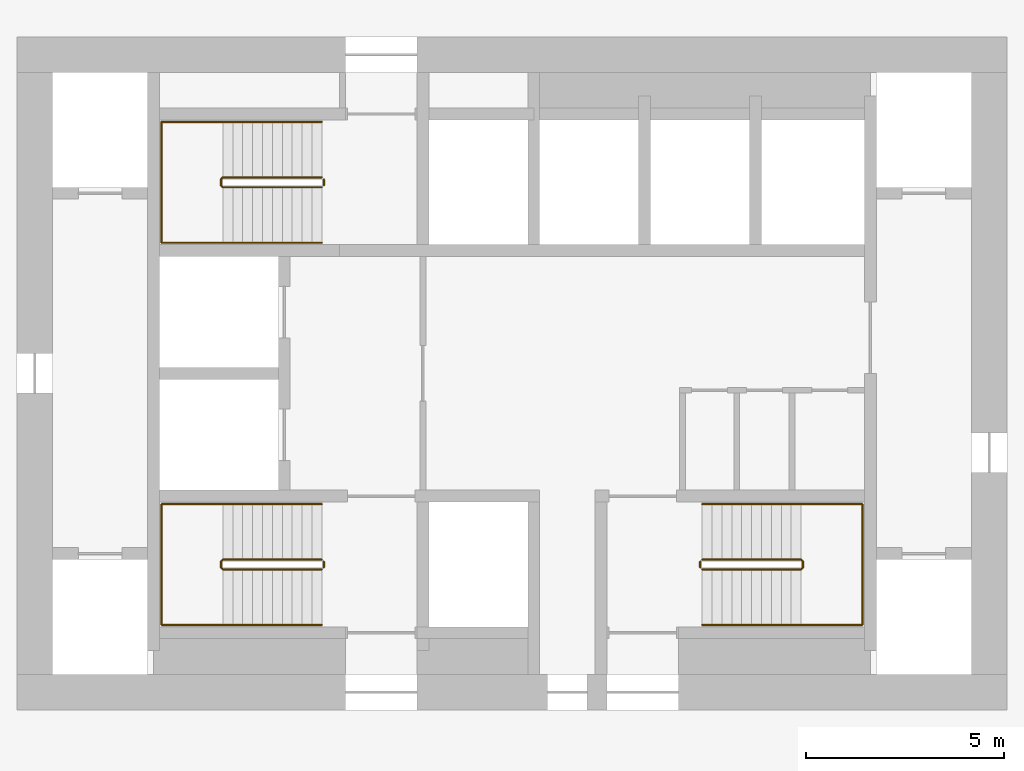
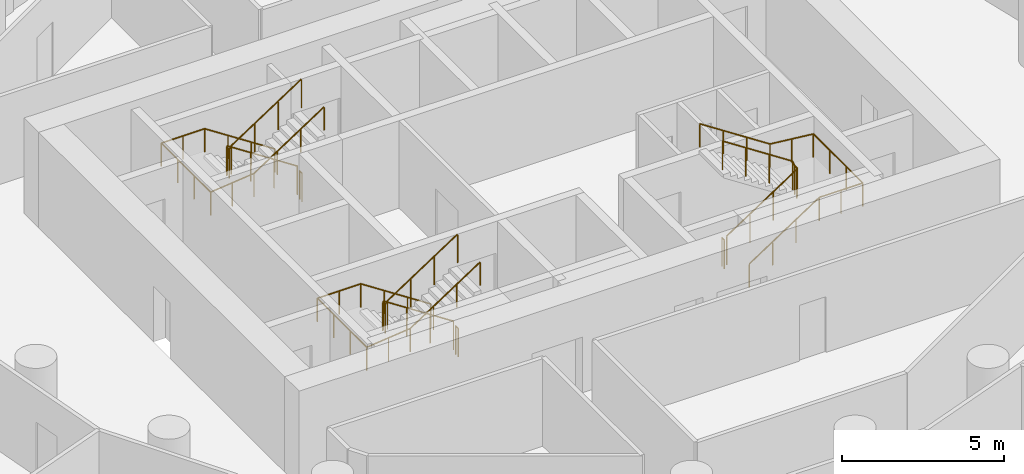
# One storey, part 9 of 9: 9 railings.
"""IFC4 building model written with IfcOpenShell, lengths in metres."""

from ifc_helpers import new_model, si_unit, direction, frame, origin, origin_2d, place, context, subcontext, project, spatial, circle, extrude, material, type_object, element, save


model = new_model("IFC4")

# Units and contexts
model_context = context("Model", 3, precision=1e-05, world=origin(), true_north=direction((0.0, 1.0)))
body_context = subcontext(model_context, "Body", "Model", "MODEL_VIEW")
ifc_project = project(units=[si_unit("LENGTHUNIT", "METRE"), si_unit("AREAUNIT", "SQUARE_METRE"), si_unit("VOLUMEUNIT", "CUBIC_METRE"), si_unit("PLANEANGLEUNIT", "RADIAN"), si_unit("MASSUNIT", "GRAM", prefix="KILO")], contexts=[model_context])

# Site, building, storey
site_placement = place(None, origin())
site = spatial("IfcSite", under=ifc_project, at=site_placement, CompositionType="ELEMENT")
building_placement = place(site_placement, origin())
building = spatial("IfcBuilding", under=site, at=building_placement, Name="Tracery Tower", CompositionType="ELEMENT")
storey_placement = place(building_placement, frame((0.0, 0.0, 172.800048828125)))
storey = spatial("IfcBuildingStorey", under=building, at=storey_placement, Name="L44", CompositionType="ELEMENT", Elevation=172.800048828125)

# Railings
ifc_material_1 = material(Name="Stainless steel and laminated glass", Category="steel")
railing_type_1 = type_object("IfcRailingType", Name="Stair guard 1100", PredefinedType="GUARDRAIL", material=ifc_material_1)
railing_1_placement = place(storey_placement, frame((-4.800048828125, -4.699951171875, 0.16357421875)))
element("IfcRailing", 1, at=railing_1_placement, inside=storey, type_object=railing_type_1, Name="L44 stair ST1 guard 1", PredefinedType="GUARDRAIL", context=body_context, shape_type="SweptSolid", body=[
    extrude(circle(Radius=0.02392578125, at=origin_2d()), frame((0.0, 0.0, 1.076171875), z_axis=(-0.83668449804, 0.0, 0.54768517484), x_axis=(0.0, -1.0, 0.0)), (0.0, 0.0, 1.0), 2.988037109375),
    extrude(circle(Radius=0.02392578125, at=origin_2d()), frame((-2.5, 0.0, 2.71240234375), z_axis=(-0.707106781187, -0.707106781187, 0.0), x_axis=(0.707106781187, -0.707106781187, 0.0)), (0.0, 0.0, 1.0), 0.07080078125),
    extrude(circle(Radius=0.02392578125, at=origin_2d()), frame((-2.550048828125, -0.050048828125, 2.71240234375), z_axis=(0.0, -1.0, 0.0), x_axis=(1.0, 0.0, 0.0)), (0.0, 0.0, 1.0), 0.14990234375),
    extrude(circle(Radius=0.02392578125, at=origin_2d()), frame((-2.550048828125, -0.199951171875, 2.71240234375), z_axis=(0.280808744504, -0.280808744504, 0.917765164963), x_axis=(0.707106781187, 0.707106781187, 0.0)), (0.0, 0.0, 1.0), 0.17822265625),
    extrude(circle(Radius=0.02392578125, at=origin_2d()), frame((-2.5, -0.25, 2.8759765625), z_axis=(0.836721939367, 0.0, 0.547627972425), x_axis=(0.0, 1.0, 0.0)), (0.0, 0.0, 1.0), 2.98779296875),
    extrude(circle(Radius=0.02099609375, at=origin_2d()), origin(), (0.0, 0.0, 1.0), 1.052001953125),
    extrude(circle(Radius=0.02099609375, at=origin_2d()), frame((-0.833251953125, 0.0, 0.54541015625)), (0.0, 0.0, 1.0), 1.052001953125),
    extrude(circle(Radius=0.02099609375, at=origin_2d()), frame((-1.666748046875, 0.0, 1.091064453125)), (0.0, 0.0, 1.0), 1.052001953125),
    extrude(circle(Radius=0.02099609375, at=origin_2d()), frame((-2.5, 0.0, 1.636474609375)), (0.0, 0.0, 1.0), 1.052001953125),
    extrude(circle(Radius=0.02099609375, at=origin_2d()), frame((-2.550048828125, -0.050048828125, 1.636474609375)), (0.0, 0.0, 1.0), 1.052001953125),
    extrude(circle(Radius=0.02099609375, at=origin_2d()), frame((-2.550048828125, -0.199951171875, 1.636474609375)), (0.0, 0.0, 1.0), 1.052001953125),
    extrude(circle(Radius=0.02099609375, at=origin_2d()), frame((-2.5, -0.25, 1.800048828125)), (0.0, 0.0, 1.0), 1.052001953125),
    extrude(circle(Radius=0.02099609375, at=origin_2d()), frame((-1.666748046875, -0.25, 2.345458984375)), (0.0, 0.0, 1.0), 1.052001953125),
    extrude(circle(Radius=0.02099609375, at=origin_2d()), frame((-0.833251953125, -0.25, 2.890869140625)), (0.0, 0.0, 1.0), 1.052001953125),
    extrude(circle(Radius=0.02099609375, at=origin_2d()), frame((0.0, -0.25, 3.436279296875)), (0.0, 0.0, 1.0), 1.052001953125),
])
railing_2_placement = place(storey_placement, frame((-4.75, -4.75, 0.0)))
element("IfcRailing", 2, at=railing_2_placement, inside=storey, type_object=railing_type_1, Name="L44 stair ST1 guard 2", PredefinedType="GUARDRAIL", context=body_context, shape_type="SweptSolid", body=[
    extrude(circle(Radius=0.02392578125, at=origin_2d()), frame((0.0, 0.0, 1.076171875), z_axis=(0.0, -1.0, 0.0), x_axis=(1.0, 0.0, 0.0)), (0.0, 0.0, 1.0), 0.14990234375),
    extrude(circle(Radius=0.02099609375, at=origin_2d()), origin(), (0.0, 0.0, 1.0), 1.052001953125),
    extrude(circle(Radius=0.02099609375, at=origin_2d()), frame((0.0, -0.14990234375, 0.0)), (0.0, 0.0, 1.0), 1.052001953125),
])
railing_3_placement = place(storey_placement, frame((-4.800048828125, 4.949951171875, 0.16357421875)))
element("IfcRailing", 3, at=railing_3_placement, inside=storey, type_object=railing_type_1, Name="L44 stair ST3 guard 1", PredefinedType="GUARDRAIL", context=body_context, shape_type="SweptSolid", body=[
    extrude(circle(Radius=0.02392578125, at=origin_2d()), frame((0.0, 0.0, 1.076171875), z_axis=(-0.83668449804, 0.0, 0.54768517484), x_axis=(0.0, -1.0, 0.0)), (0.0, 0.0, 1.0), 2.988037109375),
    extrude(circle(Radius=0.02392578125, at=origin_2d()), frame((-2.5, 0.0, 2.71240234375), z_axis=(-0.707106781187, -0.707106781187, 0.0), x_axis=(0.707106781187, -0.707106781187, 0.0)), (0.0, 0.0, 1.0), 0.07080078125),
    extrude(circle(Radius=0.02392578125, at=origin_2d()), frame((-2.550048828125, -0.050048828125, 2.71240234375), z_axis=(0.0, -1.0, 0.0), x_axis=(1.0, 0.0, 0.0)), (0.0, 0.0, 1.0), 0.14990234375),
    extrude(circle(Radius=0.02392578125, at=origin_2d()), frame((-2.550048828125, -0.199951171875, 2.71240234375), z_axis=(0.280808744504, -0.280808744504, 0.917765164963), x_axis=(0.707106781187, 0.707106781187, 0.0)), (0.0, 0.0, 1.0), 0.17822265625),
    extrude(circle(Radius=0.02392578125, at=origin_2d()), frame((-2.5, -0.25, 2.8759765625), z_axis=(0.836721939367, 0.0, 0.547627972425), x_axis=(0.0, 1.0, 0.0)), (0.0, 0.0, 1.0), 2.98779296875),
    extrude(circle(Radius=0.02099609375, at=origin_2d()), origin(), (0.0, 0.0, 1.0), 1.052001953125),
    extrude(circle(Radius=0.02099609375, at=origin_2d()), frame((-0.833251953125, 0.0, 0.54541015625)), (0.0, 0.0, 1.0), 1.052001953125),
    extrude(circle(Radius=0.02099609375, at=origin_2d()), frame((-1.666748046875, 0.0, 1.091064453125)), (0.0, 0.0, 1.0), 1.052001953125),
    extrude(circle(Radius=0.02099609375, at=origin_2d()), frame((-2.5, 0.0, 1.636474609375)), (0.0, 0.0, 1.0), 1.052001953125),
    extrude(circle(Radius=0.02099609375, at=origin_2d()), frame((-2.550048828125, -0.050048828125, 1.636474609375)), (0.0, 0.0, 1.0), 1.052001953125),
    extrude(circle(Radius=0.02099609375, at=origin_2d()), frame((-2.550048828125, -0.199951171875, 1.636474609375)), (0.0, 0.0, 1.0), 1.052001953125),
    extrude(circle(Radius=0.02099609375, at=origin_2d()), frame((-2.5, -0.25, 1.800048828125)), (0.0, 0.0, 1.0), 1.052001953125),
    extrude(circle(Radius=0.02099609375, at=origin_2d()), frame((-1.666748046875, -0.25, 2.345458984375)), (0.0, 0.0, 1.0), 1.052001953125),
    extrude(circle(Radius=0.02099609375, at=origin_2d()), frame((-0.833251953125, -0.25, 2.890869140625)), (0.0, 0.0, 1.0), 1.052001953125),
    extrude(circle(Radius=0.02099609375, at=origin_2d()), frame((0.0, -0.25, 3.436279296875)), (0.0, 0.0, 1.0), 1.052001953125),
])
railing_4_placement = place(storey_placement, frame((-4.75, 4.89990234375, 0.0)))
element("IfcRailing", 4, at=railing_4_placement, inside=storey, type_object=railing_type_1, Name="L44 stair ST3 guard 2", PredefinedType="GUARDRAIL", context=body_context, shape_type="SweptSolid", body=[
    extrude(circle(Radius=0.02392578125, at=origin_2d()), frame((0.0, 0.0, 1.076171875), z_axis=(0.0, -1.0, 0.0), x_axis=(1.0, 0.0, 0.0)), (0.0, 0.0, 1.0), 0.14990234375),
    extrude(circle(Radius=0.02099609375, at=origin_2d()), origin(), (0.0, 0.0, 1.0), 1.052001953125),
    extrude(circle(Radius=0.02099609375, at=origin_2d()), frame((0.0, -0.14990234375, 0.0)), (0.0, 0.0, 1.0), 1.052001953125),
])
railing_5_placement = place(storey_placement, frame((4.800048828125, -4.949951171875, 0.16357421875)))
element("IfcRailing", 5, at=railing_5_placement, inside=storey, type_object=railing_type_1, Name="L44 stair ST2 guard 1", PredefinedType="GUARDRAIL", context=body_context, shape_type="SweptSolid", body=[
    extrude(circle(Radius=0.02392578125, at=origin_2d()), frame((0.0, 0.0, 1.076171875), z_axis=(0.83668449804, 0.0, 0.54768517484), x_axis=(0.0, 1.0, 0.0)), (0.0, 0.0, 1.0), 2.988037109375),
    extrude(circle(Radius=0.02392578125, at=origin_2d()), frame((2.5, 0.0, 2.71240234375), z_axis=(0.707106781187, 0.707106781187, 0.0), x_axis=(-0.707106781187, 0.707106781187, 0.0)), (0.0, 0.0, 1.0), 0.07080078125),
    extrude(circle(Radius=0.02392578125, at=origin_2d()), frame((2.550048828125, 0.050048828125, 2.71240234375), z_axis=(0.0, 1.0, 0.0), x_axis=(-1.0, 0.0, 0.0)), (0.0, 0.0, 1.0), 0.14990234375),
    extrude(circle(Radius=0.02392578125, at=origin_2d()), frame((2.550048828125, 0.199951171875, 2.71240234375), z_axis=(-0.280808744504, 0.280808744504, 0.917765164963), x_axis=(-0.707106781187, -0.707106781187, 0.0)), (0.0, 0.0, 1.0), 0.17822265625),
    extrude(circle(Radius=0.02392578125, at=origin_2d()), frame((2.5, 0.25, 2.8759765625), z_axis=(-0.836721939367, 0.0, 0.547627972425), x_axis=(0.0, -1.0, 0.0)), (0.0, 0.0, 1.0), 2.98779296875),
    extrude(circle(Radius=0.02099609375, at=origin_2d()), origin(), (0.0, 0.0, 1.0), 1.052001953125),
    extrude(circle(Radius=0.02099609375, at=origin_2d()), frame((0.833251953125, 0.0, 0.54541015625)), (0.0, 0.0, 1.0), 1.052001953125),
    extrude(circle(Radius=0.02099609375, at=origin_2d()), frame((1.666748046875, 0.0, 1.091064453125)), (0.0, 0.0, 1.0), 1.052001953125),
    extrude(circle(Radius=0.02099609375, at=origin_2d()), frame((2.5, 0.0, 1.636474609375)), (0.0, 0.0, 1.0), 1.052001953125),
    extrude(circle(Radius=0.02099609375, at=origin_2d()), frame((2.550048828125, 0.050048828125, 1.636474609375)), (0.0, 0.0, 1.0), 1.052001953125),
    extrude(circle(Radius=0.02099609375, at=origin_2d()), frame((2.550048828125, 0.199951171875, 1.636474609375)), (0.0, 0.0, 1.0), 1.052001953125),
    extrude(circle(Radius=0.02099609375, at=origin_2d()), frame((2.5, 0.25, 1.800048828125)), (0.0, 0.0, 1.0), 1.052001953125),
    extrude(circle(Radius=0.02099609375, at=origin_2d()), frame((1.666748046875, 0.25, 2.345458984375)), (0.0, 0.0, 1.0), 1.052001953125),
    extrude(circle(Radius=0.02099609375, at=origin_2d()), frame((0.833251953125, 0.25, 2.890869140625)), (0.0, 0.0, 1.0), 1.052001953125),
    extrude(circle(Radius=0.02099609375, at=origin_2d()), frame((0.0, 0.25, 3.436279296875)), (0.0, 0.0, 1.0), 1.052001953125),
])
railing_6_placement = place(storey_placement, frame((4.75, -4.89990234375, 0.0)))
element("IfcRailing", 6, at=railing_6_placement, inside=storey, type_object=railing_type_1, Name="L44 stair ST2 guard 2", PredefinedType="GUARDRAIL", context=body_context, shape_type="SweptSolid", body=[
    extrude(circle(Radius=0.02392578125, at=origin_2d()), frame((0.0, 0.0, 1.076171875), z_axis=(0.0, 1.0, 0.0), x_axis=(-1.0, 0.0, 0.0)), (0.0, 0.0, 1.0), 0.14990234375),
    extrude(circle(Radius=0.02099609375, at=origin_2d()), origin(), (0.0, 0.0, 1.0), 1.052001953125),
    extrude(circle(Radius=0.02099609375, at=origin_2d()), frame((0.0, 0.14990234375, 0.0)), (0.0, 0.0, 1.0), 1.052001953125),
])
ifc_material_2 = material(Name="Stainless steel and laminated glass", Category="steel")
railing_type_2 = type_object("IfcRailingType", Name="Stair handrail 900", PredefinedType="HANDRAIL", material=ifc_material_2)
railing_7_placement = place(storey_placement, frame((-4.800048828125, -3.300048828125, 0.16357421875)))
element("IfcRailing", 7, at=railing_7_placement, inside=storey, type_object=railing_type_2, Name="L44 stair ST1 handrail 1", PredefinedType="HANDRAIL", context=body_context, shape_type="SweptSolid", body=[
    extrude(circle(Radius=0.02392578125, at=origin_2d()), frame((0.0, 0.0, 0.8759765625), z_axis=(-0.83668449804, 0.0, 0.54768517484), x_axis=(0.0, -1.0, 0.0)), (0.0, 0.0, 1.0), 2.988037109375),
    extrude(circle(Radius=0.02392578125, at=origin_2d()), frame((-2.5, 0.0, 2.51220703125), z_axis=(-1.0, 0.0, 0.0), x_axis=(0.0, -1.0, 0.0)), (0.0, 0.0, 1.0), 1.550048828125),
    extrude(circle(Radius=0.02392578125, at=origin_2d()), frame((-4.050048828125, 0.0, 2.51220703125), z_axis=(0.0, -1.0, 0.0), x_axis=(1.0, 0.0, 0.0)), (0.0, 0.0, 1.0), 3.050048828125),
    extrude(circle(Radius=0.02392578125, at=origin_2d()), frame((-4.050048828125, -3.050048828125, 2.51220703125), z_axis=(0.994477953863, 0.0, 0.104945696817), x_axis=(0.0, 1.0, 0.0)), (0.0, 0.0, 1.0), 1.55859375),
    extrude(circle(Radius=0.02392578125, at=origin_2d()), frame((-2.5, -3.050048828125, 2.67578125), z_axis=(0.836721939367, 0.0, 0.547627972425), x_axis=(0.0, 1.0, 0.0)), (0.0, 0.0, 1.0), 2.98779296875),
    extrude(circle(Radius=0.02099609375, at=origin_2d()), origin(), (0.0, 0.0, 1.0), 0.851806640625),
    extrude(circle(Radius=0.02099609375, at=origin_2d()), frame((-0.833251953125, 0.0, 0.54541015625)), (0.0, 0.0, 1.0), 0.851806640625),
    extrude(circle(Radius=0.02099609375, at=origin_2d()), frame((-1.666748046875, 0.0, 1.091064453125)), (0.0, 0.0, 1.0), 0.851806640625),
    extrude(circle(Radius=0.02099609375, at=origin_2d()), frame((-2.5, 0.0, 1.636474609375)), (0.0, 0.0, 1.0), 0.851806640625),
    extrude(circle(Radius=0.02099609375, at=origin_2d()), frame((-3.27490234375, 0.0, 1.636474609375)), (0.0, 0.0, 1.0), 0.851806640625),
    extrude(circle(Radius=0.02099609375, at=origin_2d()), frame((-4.050048828125, 0.0, 1.636474609375)), (0.0, 0.0, 1.0), 0.851806640625),
    extrude(circle(Radius=0.02099609375, at=origin_2d()), frame((-4.050048828125, -1.0166015625, 1.636474609375)), (0.0, 0.0, 1.0), 0.851806640625),
    extrude(circle(Radius=0.02099609375, at=origin_2d()), frame((-4.050048828125, -2.033447265625, 1.636474609375)), (0.0, 0.0, 1.0), 0.851806640625),
    extrude(circle(Radius=0.02099609375, at=origin_2d()), frame((-4.050048828125, -3.050048828125, 1.636474609375)), (0.0, 0.0, 1.0), 0.851806640625),
    extrude(circle(Radius=0.02099609375, at=origin_2d()), frame((-3.27490234375, -3.050048828125, 1.71826171875)), (0.0, 0.0, 1.0), 0.851806640625),
    extrude(circle(Radius=0.02099609375, at=origin_2d()), frame((-2.5, -3.050048828125, 1.800048828125)), (0.0, 0.0, 1.0), 0.851806640625),
    extrude(circle(Radius=0.02099609375, at=origin_2d()), frame((-1.666748046875, -3.050048828125, 2.345458984375)), (0.0, 0.0, 1.0), 0.851806640625),
    extrude(circle(Radius=0.02099609375, at=origin_2d()), frame((-0.833251953125, -3.050048828125, 2.890869140625)), (0.0, 0.0, 1.0), 0.851806640625),
    extrude(circle(Radius=0.02099609375, at=origin_2d()), frame((0.0, -3.050048828125, 3.436279296875)), (0.0, 0.0, 1.0), 0.851806640625),
])
railing_8_placement = place(storey_placement, frame((-4.800048828125, 6.35009765625, 0.16357421875)))
element("IfcRailing", 8, at=railing_8_placement, inside=storey, type_object=railing_type_2, Name="L44 stair ST3 handrail 1", PredefinedType="HANDRAIL", context=body_context, shape_type="SweptSolid", body=[
    extrude(circle(Radius=0.02392578125, at=origin_2d()), frame((0.0, 0.0, 0.8759765625), z_axis=(-0.83668449804, 0.0, 0.54768517484), x_axis=(0.0, -1.0, 0.0)), (0.0, 0.0, 1.0), 2.988037109375),
    extrude(circle(Radius=0.02392578125, at=origin_2d()), frame((-2.5, 0.0, 2.51220703125), z_axis=(-1.0, 0.0, 0.0), x_axis=(0.0, -1.0, 0.0)), (0.0, 0.0, 1.0), 1.550048828125),
    extrude(circle(Radius=0.02392578125, at=origin_2d()), frame((-4.050048828125, 0.0, 2.51220703125), z_axis=(0.0, -1.0, 0.0), x_axis=(1.0, 0.0, 0.0)), (0.0, 0.0, 1.0), 3.050048828125),
    extrude(circle(Radius=0.02392578125, at=origin_2d()), frame((-4.050048828125, -3.050048828125, 2.51220703125), z_axis=(0.994477953863, 0.0, 0.104945696817), x_axis=(0.0, 1.0, 0.0)), (0.0, 0.0, 1.0), 1.55859375),
    extrude(circle(Radius=0.02392578125, at=origin_2d()), frame((-2.5, -3.050048828125, 2.67578125), z_axis=(0.836721939367, 0.0, 0.547627972425), x_axis=(0.0, 1.0, 0.0)), (0.0, 0.0, 1.0), 2.98779296875),
    extrude(circle(Radius=0.02099609375, at=origin_2d()), origin(), (0.0, 0.0, 1.0), 0.851806640625),
    extrude(circle(Radius=0.02099609375, at=origin_2d()), frame((-0.833251953125, 0.0, 0.54541015625)), (0.0, 0.0, 1.0), 0.851806640625),
    extrude(circle(Radius=0.02099609375, at=origin_2d()), frame((-1.666748046875, 0.0, 1.091064453125)), (0.0, 0.0, 1.0), 0.851806640625),
    extrude(circle(Radius=0.02099609375, at=origin_2d()), frame((-2.5, 0.0, 1.636474609375)), (0.0, 0.0, 1.0), 0.851806640625),
    extrude(circle(Radius=0.02099609375, at=origin_2d()), frame((-3.27490234375, 0.0, 1.636474609375)), (0.0, 0.0, 1.0), 0.851806640625),
    extrude(circle(Radius=0.02099609375, at=origin_2d()), frame((-4.050048828125, 0.0, 1.636474609375)), (0.0, 0.0, 1.0), 0.851806640625),
    extrude(circle(Radius=0.02099609375, at=origin_2d()), frame((-4.050048828125, -1.0166015625, 1.636474609375)), (0.0, 0.0, 1.0), 0.851806640625),
    extrude(circle(Radius=0.02099609375, at=origin_2d()), frame((-4.050048828125, -2.033447265625, 1.636474609375)), (0.0, 0.0, 1.0), 0.851806640625),
    extrude(circle(Radius=0.02099609375, at=origin_2d()), frame((-4.050048828125, -3.050048828125, 1.636474609375)), (0.0, 0.0, 1.0), 0.851806640625),
    extrude(circle(Radius=0.02099609375, at=origin_2d()), frame((-3.27490234375, -3.050048828125, 1.71826171875)), (0.0, 0.0, 1.0), 0.851806640625),
    extrude(circle(Radius=0.02099609375, at=origin_2d()), frame((-2.5, -3.050048828125, 1.800048828125)), (0.0, 0.0, 1.0), 0.851806640625),
    extrude(circle(Radius=0.02099609375, at=origin_2d()), frame((-1.666748046875, -3.050048828125, 2.345458984375)), (0.0, 0.0, 1.0), 0.851806640625),
    extrude(circle(Radius=0.02099609375, at=origin_2d()), frame((-0.833251953125, -3.050048828125, 2.890869140625)), (0.0, 0.0, 1.0), 0.851806640625),
    extrude(circle(Radius=0.02099609375, at=origin_2d()), frame((0.0, -3.050048828125, 3.436279296875)), (0.0, 0.0, 1.0), 0.851806640625),
])
railing_9_placement = place(storey_placement, frame((4.800048828125, -6.35009765625, 0.16357421875)))
element("IfcRailing", 9, at=railing_9_placement, inside=storey, type_object=railing_type_2, Name="L44 stair ST2 handrail 1", PredefinedType="HANDRAIL", context=body_context, shape_type="SweptSolid", body=[
    extrude(circle(Radius=0.02392578125, at=origin_2d()), frame((0.0, 0.0, 0.8759765625), z_axis=(0.83668449804, 0.0, 0.54768517484), x_axis=(0.0, 1.0, 0.0)), (0.0, 0.0, 1.0), 2.988037109375),
    extrude(circle(Radius=0.02392578125, at=origin_2d()), frame((2.5, 0.0, 2.51220703125), z_axis=(1.0, 0.0, 0.0), x_axis=(0.0, 1.0, 0.0)), (0.0, 0.0, 1.0), 1.550048828125),
    extrude(circle(Radius=0.02392578125, at=origin_2d()), frame((4.050048828125, 0.0, 2.51220703125), z_axis=(0.0, 1.0, 0.0), x_axis=(-1.0, 0.0, 0.0)), (0.0, 0.0, 1.0), 3.050048828125),
    extrude(circle(Radius=0.02392578125, at=origin_2d()), frame((4.050048828125, 3.050048828125, 2.51220703125), z_axis=(-0.994477953863, 0.0, 0.104945696817), x_axis=(0.0, -1.0, 0.0)), (0.0, 0.0, 1.0), 1.55859375),
    extrude(circle(Radius=0.02392578125, at=origin_2d()), frame((2.5, 3.050048828125, 2.67578125), z_axis=(-0.836721939367, 0.0, 0.547627972425), x_axis=(0.0, -1.0, 0.0)), (0.0, 0.0, 1.0), 2.98779296875),
    extrude(circle(Radius=0.02099609375, at=origin_2d()), origin(), (0.0, 0.0, 1.0), 0.851806640625),
    extrude(circle(Radius=0.02099609375, at=origin_2d()), frame((0.833251953125, 0.0, 0.54541015625)), (0.0, 0.0, 1.0), 0.851806640625),
    extrude(circle(Radius=0.02099609375, at=origin_2d()), frame((1.666748046875, 0.0, 1.091064453125)), (0.0, 0.0, 1.0), 0.851806640625),
    extrude(circle(Radius=0.02099609375, at=origin_2d()), frame((2.5, 0.0, 1.636474609375)), (0.0, 0.0, 1.0), 0.851806640625),
    extrude(circle(Radius=0.02099609375, at=origin_2d()), frame((3.27490234375, 0.0, 1.636474609375)), (0.0, 0.0, 1.0), 0.851806640625),
    extrude(circle(Radius=0.02099609375, at=origin_2d()), frame((4.050048828125, 0.0, 1.636474609375)), (0.0, 0.0, 1.0), 0.851806640625),
    extrude(circle(Radius=0.02099609375, at=origin_2d()), frame((4.050048828125, 1.0166015625, 1.636474609375)), (0.0, 0.0, 1.0), 0.851806640625),
    extrude(circle(Radius=0.02099609375, at=origin_2d()), frame((4.050048828125, 2.033447265625, 1.636474609375)), (0.0, 0.0, 1.0), 0.851806640625),
    extrude(circle(Radius=0.02099609375, at=origin_2d()), frame((4.050048828125, 3.050048828125, 1.636474609375)), (0.0, 0.0, 1.0), 0.851806640625),
    extrude(circle(Radius=0.02099609375, at=origin_2d()), frame((3.27490234375, 3.050048828125, 1.71826171875)), (0.0, 0.0, 1.0), 0.851806640625),
    extrude(circle(Radius=0.02099609375, at=origin_2d()), frame((2.5, 3.050048828125, 1.800048828125)), (0.0, 0.0, 1.0), 0.851806640625),
    extrude(circle(Radius=0.02099609375, at=origin_2d()), frame((1.666748046875, 3.050048828125, 2.345458984375)), (0.0, 0.0, 1.0), 0.851806640625),
    extrude(circle(Radius=0.02099609375, at=origin_2d()), frame((0.833251953125, 3.050048828125, 2.890869140625)), (0.0, 0.0, 1.0), 0.851806640625),
    extrude(circle(Radius=0.02099609375, at=origin_2d()), frame((0.0, 3.050048828125, 3.436279296875)), (0.0, 0.0, 1.0), 0.851806640625),
])

save(model, "model.ifc")
